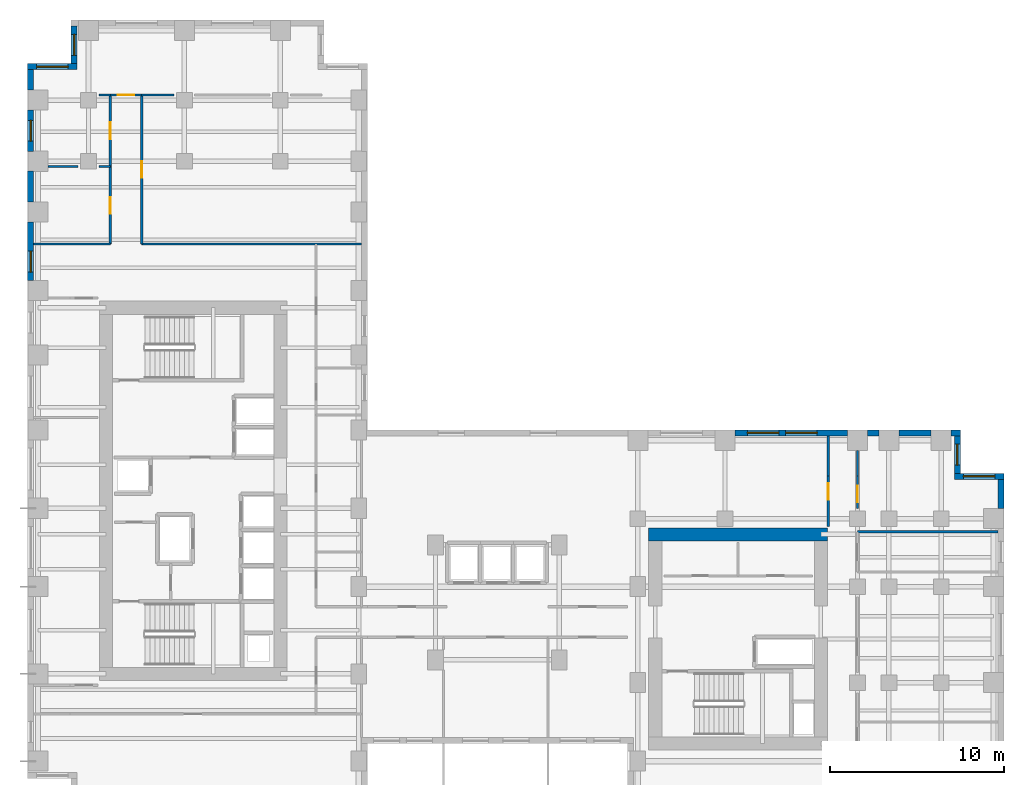
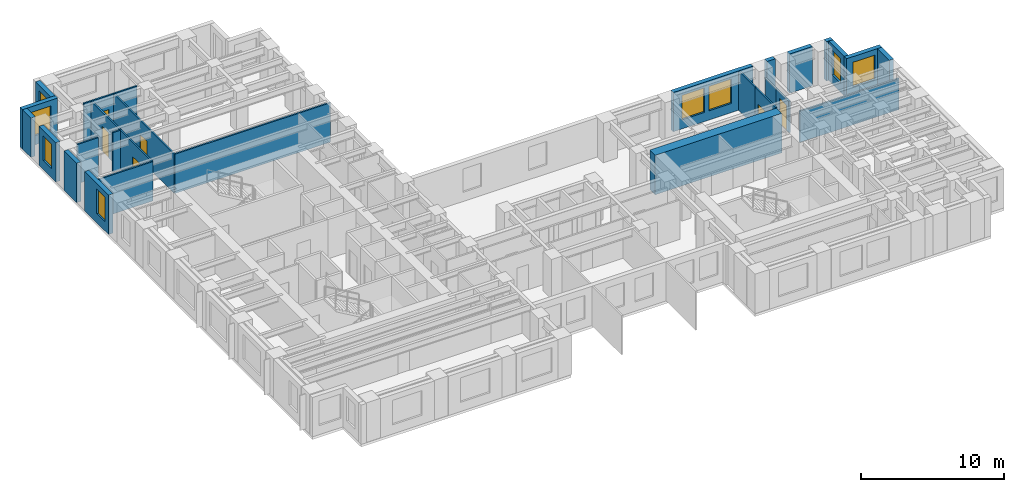
# One storey, part 8 of 11: 29 walls, 8 windows, 6 doors, 14 openings.
"""IFC4 building model written with IfcOpenShell, lengths in metres."""

from ifc_helpers import new_model, si_unit, direction, frame, frame_2d, origin, place, context, subcontext, project, spatial, rectangle, extrude, source, transform, mapped, material, layer, layer_set, type_object, element, fill, save


model = new_model("IFC4")

# Units and contexts
model_context = context("Model", 3, precision=1e-05, world=origin(), true_north=direction((0.0, 1.0)))
body_context = subcontext(model_context, "Body", "Model", "MODEL_VIEW")
ifc_project = project(units=[si_unit("LENGTHUNIT", "METRE"), si_unit("AREAUNIT", "SQUARE_METRE"), si_unit("VOLUMEUNIT", "CUBIC_METRE"), si_unit("PLANEANGLEUNIT", "RADIAN"), si_unit("MASSUNIT", "GRAM", prefix="KILO")], contexts=[model_context])

# Site, building, storey
site_placement = place(None, origin())
site = spatial("IfcSite", under=ifc_project, at=site_placement, CompositionType="ELEMENT")
building_placement = place(site_placement, origin())
building = spatial("IfcBuilding", under=site, at=building_placement, Name="Kharzan Plaza Tower", CompositionType="ELEMENT")
storey_placement = place(building_placement, frame((0.0, 0.0, 84.60009765625)))
storey = spatial("IfcBuildingStorey", under=building, at=storey_placement, Name="L22", CompositionType="ELEMENT", Elevation=84.60009765625)

# Wall, opening, window
ifc_material_1 = material(Name="Concrete C40/50", Category="concrete")
ifc_layer_1 = layer(ifc_material_1, 0.35009765625)
ifc_layer_set_1 = layer_set([ifc_layer_1], Name="Concrete C40/50")
wall_type_1 = type_object("IfcWallType", Name="WL-EXT-MAS-Z2", PredefinedType="SOLIDWALL", material=ifc_layer_set_1)
wall_1_placement = place(storey_placement, frame((2.675048828125, 45.652099609375, 0.0), z_axis=(0.0, 0.0, 1.0), x_axis=(0.0, -1.0, 0.0)))
wall_1 = element("IfcWall", 1, at=wall_1_placement, inside=storey, type_object=wall_type_1, Name="L22 Masonry-Frame Exterior Wall 07", PredefinedType="SOLIDWALL", context=body_context, shape_type="SweptSolid", body=[
    extrude(rectangle(XDim=2.154052734375, YDim=0.35009765625, at=frame_2d((1.0771484375, 0.0))), origin(), (0.0, 0.0, 1.0), 3.364990234375),
])
opening_1_placement = place(wall_1_placement, frame((0.47705078125, 0.0, 0.780029296875)))
opening_1 = element("IfcOpeningElement", 2, at=opening_1_placement, cuts=wall_1, Name="Opening W3", PredefinedType="OPENING", context=body_context, shape_type="SweptSolid", body=[
    extrude(rectangle(XDim=1.199951171875, YDim=2.10009765625, at=frame_2d((0.60009765625, 1.050048828125))), frame((0.0, 0.18505859375, 0.0), z_axis=(0.0, -1.0, 0.0), x_axis=(1.0, 0.0, 0.0)), (0.0, 0.0, 1.0), 0.3701171875),
])
ifc_material_2 = material(Name="Low-E Double Glazing", Category="glass")
window_type_1 = type_object("IfcWindowType", Name="WN-REC-1200x2100", PartitioningType="SINGLE_PANEL", PredefinedType="WINDOW", material=ifc_material_2)
shared_shape_1 = source(origin(), body_context, "Body", "SweptSolid", [
    extrude(rectangle(XDim=1.199951171875, YDim=2.10009765625, at=frame_2d((0.60009765625, 1.050048828125))), frame((0.0, 0.030029296875, 0.0), z_axis=(0.0, -1.0, 0.0), x_axis=(1.0, 0.0, 0.0)), (0.0, 0.0, 1.0), 0.06005859375),
])
window_1_placement = place(opening_1_placement, origin())
window_1 = element("IfcWindow", 3, at=window_1_placement, inside=storey, type_object=window_type_1, Name="L22 Recessed Solar-Control Window 07-1", OverallHeight=2.10009765625, OverallWidth=1.199951171875, PartitioningType="SINGLE_PANEL", PredefinedType="WINDOW", context=body_context, shape_type="MappedRepresentation", body=[
    mapped(shared_shape_1, transform((0.0, 0.0, 0.0), x_axis=(1.0, 0.0, 0.0), y_axis=(0.0, 1.0, 0.0), z_axis=(0.0, 0.0, 1.0))),
])
fill(opening_1, window_1)

wall_2_placement = place(storey_placement, frame((2.85009765625, 43.324951171875, 0.0), z_axis=(0.0, 0.0, 1.0), x_axis=(-1.0, 0.0, 0.0)))
wall_2 = element("IfcWall", 4, at=wall_2_placement, inside=storey, type_object=wall_type_1, Name="L22 Masonry-Frame Exterior Wall 08", PredefinedType="SOLIDWALL", context=body_context, shape_type="SweptSolid", body=[
    extrude(rectangle(XDim=2.85009765625, YDim=0.35009765625, at=frame_2d((1.425048828125, 0.0))), origin(), (0.0, 0.0, 1.0), 3.364990234375),
])
opening_2_placement = place(wall_2_placement, frame((0.52490234375, 0.0, 0.780029296875)))
opening_2 = element("IfcOpeningElement", 5, at=opening_2_placement, cuts=wall_2, Name="Opening W1", PredefinedType="OPENING", context=body_context, shape_type="SweptSolid", body=[
    extrude(rectangle(XDim=1.800048828125, YDim=2.10009765625, at=frame_2d((0.89990234375, 1.050048828125))), frame((0.0, 0.18505859375, 0.0), z_axis=(0.0, -1.0, 0.0), x_axis=(1.0, 0.0, 0.0)), (0.0, 0.0, 1.0), 0.3701171875),
])
window_type_2 = type_object("IfcWindowType", Name="WN-REC-1800x2100", PartitioningType="SINGLE_PANEL", PredefinedType="WINDOW", material=ifc_material_2)
shared_shape_2 = source(origin(), body_context, "Body", "SweptSolid", [
    extrude(rectangle(XDim=1.800048828125, YDim=2.10009765625, at=frame_2d((0.89990234375, 1.050048828125))), frame((0.0, 0.030029296875, 0.0), z_axis=(0.0, -1.0, 0.0), x_axis=(1.0, 0.0, 0.0)), (0.0, 0.0, 1.0), 0.06005859375),
])
window_2_placement = place(opening_2_placement, origin())
window_2 = element("IfcWindow", 6, at=window_2_placement, inside=storey, type_object=window_type_2, Name="L22 Recessed Solar-Control Window 08-1", OverallHeight=2.10009765625, OverallWidth=1.800048828125, PartitioningType="SINGLE_PANEL", PredefinedType="WINDOW", context=body_context, shape_type="MappedRepresentation", body=[
    mapped(shared_shape_2, transform((0.0, 0.0, 0.0), x_axis=(1.0, 0.0, 0.0), y_axis=(0.0, 1.0, 0.0), z_axis=(0.0, 0.0, 1.0))),
])
fill(opening_2, window_2)

wall_3_placement = place(storey_placement, frame((0.175048828125, 40.826904296875, 0.0), z_axis=(0.0, 0.0, 1.0), x_axis=(0.0, -1.0, 0.0)))
wall_3 = element("IfcWall", 7, at=wall_3_placement, inside=storey, type_object=wall_type_1, Name="L22 Masonry-Frame Exterior Wall 10", PredefinedType="SOLIDWALL", context=body_context, shape_type="SweptSolid", body=[
    extrude(rectangle(XDim=2.35400390625, YDim=0.35009765625, at=frame_2d((1.177001953125, 0.0))), origin(), (0.0, 0.0, 1.0), 3.364990234375),
])
opening_3_placement = place(wall_3_placement, frame((0.576904296875, 0.0, 0.780029296875)))
opening_3 = element("IfcOpeningElement", 8, at=opening_3_placement, cuts=wall_3, Name="Opening W3", PredefinedType="OPENING", context=body_context, shape_type="SweptSolid", body=[
    extrude(rectangle(XDim=1.199951171875, YDim=2.10009765625, at=frame_2d((0.60009765625, 1.050048828125))), frame((0.0, 0.18505859375, 0.0), z_axis=(0.0, -1.0, 0.0), x_axis=(1.0, 0.0, 0.0)), (0.0, 0.0, 1.0), 0.3701171875),
])
window_3_placement = place(opening_3_placement, origin())
window_3 = element("IfcWindow", 9, at=window_3_placement, inside=storey, type_object=window_type_1, Name="L22 Recessed Solar-Control Window 10-1", OverallHeight=2.10009765625, OverallWidth=1.199951171875, PartitioningType="SINGLE_PANEL", PredefinedType="WINDOW", context=body_context, shape_type="MappedRepresentation", body=[
    mapped(shared_shape_1, transform((0.0, 0.0, 0.0), x_axis=(1.0, 0.0, 0.0), y_axis=(0.0, 1.0, 0.0), z_axis=(0.0, 0.0, 1.0))),
])
fill(opening_3, window_3)

wall_4_placement = place(storey_placement, frame((0.175048828125, 34.427001953125, 0.0), z_axis=(0.0, 0.0, 1.0), x_axis=(0.0, -1.0, 0.0)))
wall_4 = element("IfcWall", 10, at=wall_4_placement, inside=storey, type_object=wall_type_1, Name="L22 Masonry-Frame Exterior Wall 12", PredefinedType="SOLIDWALL", context=body_context, shape_type="SweptSolid", body=[
    extrude(rectangle(XDim=3.35400390625, YDim=0.35009765625, at=frame_2d((1.677001953125, 0.0))), origin(), (0.0, 0.0, 1.0), 3.364990234375),
])
opening_4_placement = place(wall_4_placement, frame((1.680419921875, 0.0, 0.780029296875)))
opening_4 = element("IfcOpeningElement", 11, at=opening_4_placement, cuts=wall_4, Name="Opening W3", PredefinedType="OPENING", context=body_context, shape_type="SweptSolid", body=[
    extrude(rectangle(XDim=1.199951171875, YDim=2.10009765625, at=frame_2d((0.60009765625, 1.050048828125))), frame((0.0, 0.18505859375, 0.0), z_axis=(0.0, -1.0, 0.0), x_axis=(1.0, 0.0, 0.0)), (0.0, 0.0, 1.0), 0.3701171875),
])
window_4_placement = place(opening_4_placement, origin())
window_4 = element("IfcWindow", 12, at=window_4_placement, inside=storey, type_object=window_type_1, Name="L22 Recessed Solar-Control Window 12-1", OverallHeight=2.10009765625, OverallWidth=1.199951171875, PartitioningType="SINGLE_PANEL", PredefinedType="WINDOW", context=body_context, shape_type="MappedRepresentation", body=[
    mapped(shared_shape_1, transform((0.0, 0.0, 0.0), x_axis=(1.0, 0.0, 0.0), y_axis=(0.0, 1.0, 0.0), z_axis=(0.0, 0.0, 1.0))),
])
fill(opening_4, window_4)

wall_5_placement = place(storey_placement, frame((56.0, 19.824951171875, 0.0), z_axis=(0.0, 0.0, 1.0), x_axis=(-1.0, 0.0, 0.0)))
wall_5 = element("IfcWall", 13, at=wall_5_placement, inside=storey, type_object=wall_type_1, Name="L22 Masonry-Frame Exterior Wall 41", PredefinedType="SOLIDWALL", context=body_context, shape_type="SweptSolid", body=[
    extrude(rectangle(XDim=2.85009765625, YDim=0.35009765625, at=frame_2d((1.425048828125, 0.0))), origin(), (0.0, 0.0, 1.0), 3.364990234375),
])
opening_5_placement = place(wall_5_placement, frame((0.52490234375, 0.0, 0.780029296875)))
opening_5 = element("IfcOpeningElement", 14, at=opening_5_placement, cuts=wall_5, Name="Opening W1", PredefinedType="OPENING", context=body_context, shape_type="SweptSolid", body=[
    extrude(rectangle(XDim=1.800048828125, YDim=2.10009765625, at=frame_2d((0.89990234375, 1.050048828125))), frame((0.0, 0.18505859375, 0.0), z_axis=(0.0, -1.0, 0.0), x_axis=(1.0, 0.0, 0.0)), (0.0, 0.0, 1.0), 0.3701171875),
])
window_5_placement = place(opening_5_placement, origin())
window_5 = element("IfcWindow", 15, at=window_5_placement, inside=storey, type_object=window_type_2, Name="L22 Recessed Solar-Control Window 41-1", OverallHeight=2.10009765625, OverallWidth=1.800048828125, PartitioningType="SINGLE_PANEL", PredefinedType="WINDOW", context=body_context, shape_type="MappedRepresentation", body=[
    mapped(shared_shape_2, transform((0.0, 0.0, 0.0), x_axis=(1.0, 0.0, 0.0), y_axis=(0.0, 1.0, 0.0), z_axis=(0.0, 0.0, 1.0))),
])
fill(opening_5, window_5)

wall_6_placement = place(storey_placement, frame((53.324951171875, 19.998046875, 0.0), z_axis=(0.0, 0.0, 1.0), x_axis=(0.0, 1.0, 0.0)))
wall_6 = element("IfcWall", 16, at=wall_6_placement, inside=storey, type_object=wall_type_1, Name="L22 Masonry-Frame Exterior Wall 42", PredefinedType="SOLIDWALL", context=body_context, shape_type="SweptSolid", body=[
    extrude(rectangle(XDim=2.154052734375, YDim=0.35009765625, at=frame_2d((1.0771484375, 0.0))), origin(), (0.0, 0.0, 1.0), 3.364990234375),
])
opening_6_placement = place(wall_6_placement, frame((0.47705078125, 0.0, 0.780029296875)))
opening_6 = element("IfcOpeningElement", 17, at=opening_6_placement, cuts=wall_6, Name="Opening W3", PredefinedType="OPENING", context=body_context, shape_type="SweptSolid", body=[
    extrude(rectangle(XDim=1.199951171875, YDim=2.10009765625, at=frame_2d((0.60009765625, 1.050048828125))), frame((0.0, 0.18505859375, 0.0), z_axis=(0.0, -1.0, 0.0), x_axis=(1.0, 0.0, 0.0)), (0.0, 0.0, 1.0), 0.3701171875),
])
window_6_placement = place(opening_6_placement, origin())
window_6 = element("IfcWindow", 18, at=window_6_placement, inside=storey, type_object=window_type_1, Name="L22 Recessed Solar-Control Window 42-1", OverallHeight=2.10009765625, OverallWidth=1.199951171875, PartitioningType="SINGLE_PANEL", PredefinedType="WINDOW", context=body_context, shape_type="MappedRepresentation", body=[
    mapped(shared_shape_1, transform((0.0, 0.0, 0.0), x_axis=(1.0, 0.0, 0.0), y_axis=(0.0, 1.0, 0.0), z_axis=(0.0, 0.0, 1.0))),
])
fill(opening_6, window_6)

# Wall, openings, windows
wall_7_placement = place(storey_placement, frame((47.027099609375, 22.324951171875, 0.0), z_axis=(0.0, 0.0, 1.0), x_axis=(-1.0, 0.0, 0.0)))
wall_7 = element("IfcWall", 19, at=wall_7_placement, inside=storey, type_object=wall_type_1, Name="L22 Masonry-Frame Exterior Wall 46", PredefinedType="SOLIDWALL", context=body_context, shape_type="SweptSolid", body=[
    extrude(rectangle(XDim=6.4541015625, YDim=0.35009765625, at=frame_2d((3.22705078125, 0.0))), origin(), (0.0, 0.0, 1.0), 3.364990234375),
])
opening_7_placement = place(wall_7_placement, frame((1.749267578125, 0.0, 0.780029296875)))
opening_7 = element("IfcOpeningElement", 20, at=opening_7_placement, cuts=wall_7, Name="Opening W1", PredefinedType="OPENING", context=body_context, shape_type="SweptSolid", body=[
    extrude(rectangle(XDim=1.800048828125, YDim=2.10009765625, at=frame_2d((0.89990234375, 1.050048828125))), frame((0.0, 0.18505859375, 0.0), z_axis=(0.0, -1.0, 0.0), x_axis=(1.0, 0.0, 0.0)), (0.0, 0.0, 1.0), 0.3701171875),
])
opening_8_placement = place(wall_7_placement, frame((3.941650390625, 0.0, 0.780029296875)))
opening_8 = element("IfcOpeningElement", 21, at=opening_8_placement, cuts=wall_7, Name="Opening W1", PredefinedType="OPENING", context=body_context, shape_type="SweptSolid", body=[
    extrude(rectangle(XDim=1.800048828125, YDim=2.10009765625, at=frame_2d((0.89990234375, 1.050048828125))), frame((0.0, 0.18505859375, 0.0), z_axis=(0.0, -1.0, 0.0), x_axis=(1.0, 0.0, 0.0)), (0.0, 0.0, 1.0), 0.3701171875),
])
window_7_placement = place(opening_7_placement, origin())
window_7 = element("IfcWindow", 22, at=window_7_placement, inside=storey, type_object=window_type_2, Name="L22 Recessed Solar-Control Window 46-1", OverallHeight=2.10009765625, OverallWidth=1.800048828125, PartitioningType="SINGLE_PANEL", PredefinedType="WINDOW", context=body_context, shape_type="MappedRepresentation", body=[
    mapped(shared_shape_2, transform((0.0, 0.0, 0.0), x_axis=(1.0, 0.0, 0.0), y_axis=(0.0, 1.0, 0.0), z_axis=(0.0, 0.0, 1.0))),
])
fill(opening_7, window_7)
window_8_placement = place(opening_8_placement, origin())
window_8 = element("IfcWindow", 23, at=window_8_placement, inside=storey, type_object=window_type_2, Name="L22 Recessed Solar-Control Window 46-2", OverallHeight=2.10009765625, OverallWidth=1.800048828125, PartitioningType="SINGLE_PANEL", PredefinedType="WINDOW", context=body_context, shape_type="MappedRepresentation", body=[
    mapped(shared_shape_2, transform((0.0, 0.0, 0.0), x_axis=(1.0, 0.0, 0.0), y_axis=(0.0, 1.0, 0.0), z_axis=(0.0, 0.0, 1.0))),
])
fill(opening_8, window_8)

# Wall, opening, door
ifc_material_3 = material(Name="Fire-Rated Gypsum Board Partition", Category="gypsum")
ifc_layer_2 = layer(ifc_material_3, 0.125)
ifc_layer_set_2 = layer_set([ifc_layer_2], Name="Fire-Rated Gypsum Board Partition")
wall_type_2 = type_object("IfcWallType", Name="WL-INT-PART-125", PredefinedType="PARTITIONING", material=ifc_layer_set_2)
wall_8_placement = place(storey_placement, frame((47.60009765625, 17.989990234375, 0.0), z_axis=(0.0, 0.0, 1.0), x_axis=(0.0, 1.0, 0.0)))
wall_8 = element("IfcWall", 24, at=wall_8_placement, inside=storey, type_object=wall_type_2, Name="L22 Interior Partition SH-B3W2", PredefinedType="PARTITIONING", context=body_context, shape_type="SweptSolid", body=[
    extrude(rectangle(XDim=1.860107421875, YDim=0.125, at=frame_2d((0.93017578125, 0.0))), origin(), (0.0, 0.0, 1.0), 2.677001953125),
])
opening_9_placement = place(wall_8_placement, frame((0.36328125, 0.0, 0.0)))
opening_9 = element("IfcOpeningElement", 25, at=opening_9_placement, cuts=wall_8, Name="Opening OD1", PredefinedType="OPENING", context=body_context, shape_type="SweptSolid", body=[
    extrude(rectangle(XDim=0.949951171875, YDim=2.14990234375, at=frame_2d((0.47509765625, 1.074951171875))), frame((0.0, 0.072509765625, 0.0), z_axis=(0.0, -1.0, 0.0), x_axis=(1.0, 0.0, 0.0)), (0.0, 0.0, 1.0), 0.14501953125),
])
ifc_material_4 = material(Name="Acoustic Solid-Core Stained Oak", Category="timber")
door_type = type_object("IfcDoorType", Name="DR-OFF-SINGLE", OperationType="NOTDEFINED", PredefinedType="DOOR", material=ifc_material_4)
shared_shape_3 = source(origin(), body_context, "Body", "SweptSolid", [
    extrude(rectangle(XDim=0.949951171875, YDim=2.14990234375, at=frame_2d((0.47509765625, 1.074951171875))), frame((0.0, 0.02490234375, 0.0), z_axis=(0.0, -1.0, 0.0), x_axis=(1.0, 0.0, 0.0)), (0.0, 0.0, 1.0), 0.050048828125),
])
door_1_placement = place(opening_9_placement, origin())
door_1 = element("IfcDoor", 26, at=door_1_placement, inside=storey, type_object=door_type, Name="L22 Wing B Office 3 Door", OperationType="SINGLE_SWING_RIGHT", OverallHeight=2.14990234375, OverallWidth=0.949951171875, PredefinedType="DOOR", context=body_context, shape_type="MappedRepresentation", body=[
    mapped(shared_shape_3, transform((0.0, 0.0, 0.0), x_axis=(1.0, 0.0, 0.0), y_axis=(0.0, 1.0, 0.0), z_axis=(0.0, 0.0, 1.0))),
])
fill(opening_9, door_1)

wall_9_placement = place(storey_placement, frame((45.919921875, 16.949951171875, 0.0), z_axis=(0.0, 0.0, 1.0), x_axis=(0.0, 1.0, 0.0)))
wall_9 = element("IfcWall", 27, at=wall_9_placement, inside=storey, type_object=wall_type_2, Name="L22 Interior Partition SH-RBNE", PredefinedType="PARTITIONING", context=body_context, shape_type="SweptSolid", body=[
    extrude(rectangle(XDim=2.900146484375, YDim=0.125, at=frame_2d((1.4501953125, 0.0))), origin(), (0.0, 0.0, 1.0), 3.364990234375),
])
opening_10_placement = place(wall_9_placement, frame((1.54296875, 0.0, 0.0)))
opening_10 = element("IfcOpeningElement", 28, at=opening_10_placement, cuts=wall_9, Name="Opening OD1", PredefinedType="OPENING", context=body_context, shape_type="SweptSolid", body=[
    extrude(rectangle(XDim=0.949951171875, YDim=2.14990234375, at=frame_2d((0.47509765625, 1.074951171875))), frame((0.0, 0.072509765625, 0.0), z_axis=(0.0, -1.0, 0.0), x_axis=(1.0, 0.0, 0.0)), (0.0, 0.0, 1.0), 0.14501953125),
])
door_2_placement = place(opening_10_placement, origin())
door_2 = element("IfcDoor", 29, at=door_2_placement, inside=storey, type_object=door_type, Name="L22 Wing B North Studio Door", OperationType="SINGLE_SWING_RIGHT", OverallHeight=2.14990234375, OverallWidth=0.949951171875, PredefinedType="DOOR", context=body_context, shape_type="MappedRepresentation", body=[
    mapped(shared_shape_3, transform((0.0, 0.0, 0.0), x_axis=(1.0, 0.0, 0.0), y_axis=(0.0, 1.0, 0.0), z_axis=(0.0, 0.0, 1.0))),
])
fill(opening_10, door_2)

wall_10_placement = place(storey_placement, frame((6.550048828125, 33.14990234375, 0.0), z_axis=(0.0, 0.0, 1.0), x_axis=(0.0, 1.0, 0.0)))
wall_10 = element("IfcWall", 30, at=wall_10_placement, inside=storey, type_object=wall_type_2, Name="L22 Interior Partition SH-SPE-1", PredefinedType="PARTITIONING", context=body_context, shape_type="SweptSolid", body=[
    extrude(rectangle(XDim=8.550048828125, YDim=0.125, at=frame_2d((4.27490234375, 0.0))), origin(), (0.0, 0.0, 1.0), 3.364990234375),
])
opening_11_placement = place(wall_10_placement, frame((3.800048828125, 0.0, 0.0)))
opening_11 = element("IfcOpeningElement", 31, at=opening_11_placement, cuts=wall_10, Name="Opening OD1", PredefinedType="OPENING", context=body_context, shape_type="SweptSolid", body=[
    extrude(rectangle(XDim=0.949951171875, YDim=2.14990234375, at=frame_2d((0.47509765625, 1.074951171875))), frame((0.0, 0.072509765625, 0.0), z_axis=(0.0, -1.0, 0.0), x_axis=(1.0, 0.0, 0.0)), (0.0, 0.0, 1.0), 0.14501953125),
])
door_3_placement = place(opening_11_placement, origin())
door_3 = element("IfcDoor", 32, at=door_3_placement, inside=storey, type_object=door_type, Name="L22 Cartography Drafting Studio Door", OperationType="SINGLE_SWING_LEFT", OverallHeight=2.14990234375, OverallWidth=0.949951171875, PredefinedType="DOOR", context=body_context, shape_type="MappedRepresentation", body=[
    mapped(shared_shape_3, transform((0.0, 0.0, 0.0), x_axis=(1.0, 0.0, 0.0), y_axis=(0.0, 1.0, 0.0), z_axis=(0.0, 0.0, 1.0))),
])
fill(opening_11, door_3)

wall_11_placement = place(storey_placement, frame((4.75, 41.699951171875, 0.0), z_axis=(0.0, 0.0, 1.0), x_axis=(1.0, 0.0, 0.0)))
wall_11 = element("IfcWall", 33, at=wall_11_placement, inside=storey, type_object=wall_type_2, Name="L22 Interior Partition SH-SPHD", PredefinedType="PARTITIONING", context=body_context, shape_type="SweptSolid", body=[
    extrude(rectangle(XDim=1.800048828125, YDim=0.125, at=frame_2d((0.89990234375, 0.0))), origin(), (0.0, 0.0, 1.0), 3.364990234375),
])
opening_12_placement = place(wall_11_placement, frame((0.425048828125, 0.0, 0.0)))
opening_12 = element("IfcOpeningElement", 34, at=opening_12_placement, cuts=wall_11, Name="Opening OD1", PredefinedType="OPENING", context=body_context, shape_type="SweptSolid", body=[
    extrude(rectangle(XDim=0.949951171875, YDim=2.14990234375, at=frame_2d((0.47509765625, 1.074951171875))), frame((0.0, 0.072509765625, 0.0), z_axis=(0.0, -1.0, 0.0), x_axis=(1.0, 0.0, 0.0)), (0.0, 0.0, 1.0), 0.14501953125),
])
door_4_placement = place(opening_12_placement, origin())
door_4 = element("IfcDoor", 35, at=door_4_placement, inside=storey, type_object=door_type, Name="L22 North Boardroom Door", OperationType="SINGLE_SWING_RIGHT", OverallHeight=2.14990234375, OverallWidth=0.949951171875, PredefinedType="DOOR", context=body_context, shape_type="MappedRepresentation", body=[
    mapped(shared_shape_3, transform((0.0, 0.0, 0.0), x_axis=(1.0, 0.0, 0.0), y_axis=(0.0, 1.0, 0.0), z_axis=(0.0, 0.0, 1.0))),
])
fill(opening_12, door_4)

wall_12_placement = place(storey_placement, frame((4.75, 33.14990234375, 0.0), z_axis=(0.0, 0.0, 1.0), x_axis=(0.0, 1.0, 0.0)))
wall_12 = element("IfcWall", 36, at=wall_12_placement, inside=storey, type_object=wall_type_2, Name="L22 Interior Partition SH-SPW-1", PredefinedType="PARTITIONING", context=body_context, shape_type="SweptSolid", body=[
    extrude(rectangle(XDim=4.446044921875, YDim=0.125, at=frame_2d((2.22314453125, 0.0))), origin(), (0.0, 0.0, 1.0), 3.364990234375),
])
opening_13_placement = place(wall_12_placement, frame((1.748046875, 0.0, 0.0)))
opening_13 = element("IfcOpeningElement", 37, at=opening_13_placement, cuts=wall_12, Name="Opening OD1", PredefinedType="OPENING", context=body_context, shape_type="SweptSolid", body=[
    extrude(rectangle(XDim=0.949951171875, YDim=2.14990234375, at=frame_2d((0.47509765625, 1.074951171875))), frame((0.0, 0.072509765625, 0.0), z_axis=(0.0, -1.0, 0.0), x_axis=(1.0, 0.0, 0.0)), (0.0, 0.0, 1.0), 0.14501953125),
])
door_5_placement = place(opening_13_placement, origin())
door_5 = element("IfcDoor", 38, at=door_5_placement, inside=storey, type_object=door_type, Name="L22 Architectural Design Studio Door", OperationType="SINGLE_SWING_LEFT", OverallHeight=2.14990234375, OverallWidth=0.949951171875, PredefinedType="DOOR", context=body_context, shape_type="MappedRepresentation", body=[
    mapped(shared_shape_3, transform((0.0, 0.0, 0.0), x_axis=(1.0, 0.0, 0.0), y_axis=(0.0, 1.0, 0.0), z_axis=(0.0, 0.0, 1.0))),
])
fill(opening_13, door_5)

wall_13_placement = place(storey_placement, frame((4.75, 37.595947265625, 0.0), z_axis=(0.0, 0.0, 1.0), x_axis=(0.0, 1.0, 0.0)))
wall_13 = element("IfcWall", 39, at=wall_13_placement, inside=storey, type_object=wall_type_2, Name="L22 Interior Partition SH-SPW-2", PredefinedType="PARTITIONING", context=body_context, shape_type="SweptSolid", body=[
    extrude(rectangle(XDim=4.10400390625, YDim=0.125, at=frame_2d((2.052001953125, 0.0))), origin(), (0.0, 0.0, 1.0), 3.364990234375),
])
opening_14_placement = place(wall_13_placement, frame((1.576904296875, 0.0, 0.0)))
opening_14 = element("IfcOpeningElement", 40, at=opening_14_placement, cuts=wall_13, Name="Opening OD1", PredefinedType="OPENING", context=body_context, shape_type="SweptSolid", body=[
    extrude(rectangle(XDim=0.949951171875, YDim=2.14990234375, at=frame_2d((0.47509765625, 1.074951171875))), frame((0.0, 0.072509765625, 0.0), z_axis=(0.0, -1.0, 0.0), x_axis=(1.0, 0.0, 0.0)), (0.0, 0.0, 1.0), 0.14501953125),
])
door_6_placement = place(opening_14_placement, origin())
door_6 = element("IfcDoor", 41, at=door_6_placement, inside=storey, type_object=door_type, Name="L22 Architectural Design Studio Door", OperationType="SINGLE_SWING_RIGHT", OverallHeight=2.14990234375, OverallWidth=0.949951171875, PredefinedType="DOOR", context=body_context, shape_type="MappedRepresentation", body=[
    mapped(shared_shape_3, transform((0.0, 0.0, 0.0), x_axis=(1.0, 0.0, 0.0), y_axis=(0.0, 1.0, 0.0), z_axis=(0.0, 0.0, 1.0))),
])
fill(opening_14, door_6)

# Walls
shared_shape_4 = source(origin(), body_context, "Body", "SweptSolid", [
    extrude(rectangle(XDim=2.2978515625, YDim=0.125, at=frame_2d((1.14892578125, 0.0))), origin(), (0.0, 0.0, 1.0), 3.364990234375),
])
wall_14_placement = place(storey_placement, frame((45.919921875, 19.85009765625, 0.0), z_axis=(0.0, 0.0, 1.0), x_axis=(0.0, 1.0, 0.0)))
element("IfcWall", 42, at=wall_14_placement, inside=storey, type_object=wall_type_2, Name="L22 Interior Partition SH-RBNE0", PredefinedType="PARTITIONING", context=body_context, shape_type="MappedRepresentation", body=[
    mapped(shared_shape_4, transform((0.0, 0.0, 0.0), x_axis=(1.0, 0.0, 0.0), y_axis=(0.0, 1.0, 0.0), z_axis=(0.0, 0.0, 1.0))),
])
shared_shape_5 = source(origin(), body_context, "Body", "SweptSolid", [
    extrude(rectangle(XDim=1.17919921875, YDim=0.35009765625, at=frame_2d((0.589599609375, 0.0))), origin(), (0.0, 0.0, 1.0), 3.364990234375),
])
wall_15_placement = place(storey_placement, frame((0.175048828125, 43.152099609375, 0.0), z_axis=(0.0, 0.0, 1.0), x_axis=(0.0, -1.0, 0.0)))
element("IfcWall", 43, at=wall_15_placement, inside=storey, type_object=wall_type_1, Name="L22 Masonry-Frame Exterior Wall 09", PredefinedType="SOLIDWALL", context=body_context, shape_type="MappedRepresentation", body=[
    mapped(shared_shape_5, transform((0.0, 0.0, 0.0), x_axis=(1.0, 0.0, 0.0), y_axis=(0.0, 1.0, 0.0), z_axis=(0.0, 0.0, 1.0))),
])
shared_shape_6 = source(origin(), body_context, "Body", "SweptSolid", [
    extrude(rectangle(XDim=1.75390625, YDim=0.35009765625, at=frame_2d((0.876953125, 0.0))), origin(), (0.0, 0.0, 1.0), 3.364990234375),
])
wall_16_placement = place(storey_placement, frame((0.175048828125, 37.326904296875, 0.0), z_axis=(0.0, 0.0, 1.0), x_axis=(0.0, -1.0, 0.0)))
element("IfcWall", 44, at=wall_16_placement, inside=storey, type_object=wall_type_1, Name="L22 Masonry-Frame Exterior Wall 11", PredefinedType="SOLIDWALL", context=body_context, shape_type="MappedRepresentation", body=[
    mapped(shared_shape_6, transform((0.0, 0.0, 0.0), x_axis=(1.0, 0.0, 0.0), y_axis=(0.0, 1.0, 0.0), z_axis=(0.0, 0.0, 1.0))),
])
shared_shape_7 = source(origin(), body_context, "Body", "SweptSolid", [
    extrude(rectangle(XDim=0.65380859375, YDim=0.35009765625, at=frame_2d((0.326904296875, 0.0))), origin(), (0.0, 0.0, 1.0), 3.364990234375),
])
wall_17_placement = place(storey_placement, frame((48.826904296875, 22.324951171875, 0.0), z_axis=(0.0, 0.0, 1.0), x_axis=(-1.0, 0.0, 0.0)))
element("IfcWall", 45, at=wall_17_placement, inside=storey, type_object=wall_type_1, Name="L22 Masonry-Frame Exterior Wall 45", PredefinedType="SOLIDWALL", context=body_context, shape_type="MappedRepresentation", body=[
    mapped(shared_shape_7, transform((0.0, 0.0, 0.0), x_axis=(1.0, 0.0, 0.0), y_axis=(0.0, 1.0, 0.0), z_axis=(0.0, 0.0, 1.0))),
])
shared_shape_8 = source(origin(), body_context, "Body", "SweptSolid", [
    extrude(rectangle(XDim=1.85400390625, YDim=0.35009765625, at=frame_2d((0.927001953125, 0.0))), origin(), (0.0, 0.0, 1.0), 3.364990234375),
])
wall_18_placement = place(storey_placement, frame((51.826904296875, 22.324951171875, 0.0), z_axis=(0.0, 0.0, 1.0), x_axis=(-1.0, 0.0, 0.0)))
element("IfcWall", 46, at=wall_18_placement, inside=storey, type_object=wall_type_1, Name="L22 Masonry-Frame Exterior Wall 44", PredefinedType="SOLIDWALL", context=body_context, shape_type="MappedRepresentation", body=[
    mapped(shared_shape_8, transform((0.0, 0.0, 0.0), x_axis=(1.0, 0.0, 0.0), y_axis=(0.0, 1.0, 0.0), z_axis=(0.0, 0.0, 1.0))),
])
shared_shape_9 = source(origin(), body_context, "Body", "SweptSolid", [
    extrude(rectangle(XDim=0.527099609375, YDim=0.35009765625, at=frame_2d((0.263671875, 0.0))), origin(), (0.0, 0.0, 1.0), 3.364990234375),
])
wall_19_placement = place(storey_placement, frame((53.5, 22.324951171875, 0.0), z_axis=(0.0, 0.0, 1.0), x_axis=(-1.0, 0.0, 0.0)))
element("IfcWall", 47, at=wall_19_placement, inside=storey, type_object=wall_type_1, Name="L22 Masonry-Frame Exterior Wall 43", PredefinedType="SOLIDWALL", context=body_context, shape_type="MappedRepresentation", body=[
    mapped(shared_shape_9, transform((0.0, 0.0, 0.0), x_axis=(1.0, 0.0, 0.0), y_axis=(0.0, 1.0, 0.0), z_axis=(0.0, 0.0, 1.0))),
])
shared_shape_10 = source(origin(), body_context, "Body", "SweptSolid", [
    extrude(rectangle(XDim=1.67919921875, YDim=0.35009765625, at=frame_2d((0.839599609375, 0.0))), origin(), (0.0, 0.0, 1.0), 3.364990234375),
])
wall_20_placement = place(storey_placement, frame((55.824951171875, 17.972900390625, 0.0), z_axis=(0.0, 0.0, 1.0), x_axis=(0.0, 1.0, 0.0)))
element("IfcWall", 48, at=wall_20_placement, inside=storey, type_object=wall_type_1, Name="L22 Masonry-Frame Exterior Wall 40", PredefinedType="SOLIDWALL", context=body_context, shape_type="MappedRepresentation", body=[
    mapped(shared_shape_10, transform((0.0, 0.0, 0.0), x_axis=(1.0, 0.0, 0.0), y_axis=(0.0, 1.0, 0.0), z_axis=(0.0, 0.0, 1.0))),
])
ifc_material_5 = material(Name="Concrete C60/75", Category="concrete")
ifc_layer_3 = layer(ifc_material_5, 0.75)
ifc_layer_set_3 = layer_set([ifc_layer_3], Name="Concrete C60/75")
wall_type_3 = type_object("IfcWallType", Name="WL-CORE-750", PredefinedType="SHEAR", material=ifc_layer_set_3)
shared_shape_11 = source(origin(), body_context, "Body", "SweptSolid", [
    extrude(rectangle(XDim=10.25, YDim=0.75, at=frame_2d((5.125, 0.0))), origin(), (0.0, 0.0, 1.0), 3.3798828125),
])
wall_21_placement = place(storey_placement, frame((35.625, 16.5, 0.0), z_axis=(0.0, 0.0, 1.0), x_axis=(1.0, 0.0, 0.0)))
element("IfcWall", 49, at=wall_21_placement, inside=storey, type_object=wall_type_3, Name="L22 CORE-B north RC shear wall", PredefinedType="SHEAR", context=body_context, shape_type="MappedRepresentation", body=[
    mapped(shared_shape_11, transform((0.0, 0.0, 0.0), x_axis=(1.0, 0.0, 0.0), y_axis=(0.0, 1.0, 0.0), z_axis=(0.0, 0.0, 1.0))),
])
shared_shape_12 = source(origin(), body_context, "Body", "SweptSolid", [
    extrude(rectangle(XDim=1.4599609375, YDim=0.125, at=frame_2d((0.72998046875, 0.0))), origin(), (0.0, 0.0, 1.0), 2.677001953125),
])
wall_22_placement = place(storey_placement, frame((47.60009765625, 19.85009765625, 0.0), z_axis=(0.0, 0.0, 1.0), x_axis=(0.0, 1.0, 0.0)))
element("IfcWall", 50, at=wall_22_placement, inside=storey, type_object=wall_type_2, Name="L22 Interior Partition SH-B3W2N", PredefinedType="PARTITIONING", context=body_context, shape_type="MappedRepresentation", body=[
    mapped(shared_shape_12, transform((0.0, 0.0, 0.0), x_axis=(1.0, 0.0, 0.0), y_axis=(0.0, 1.0, 0.0), z_axis=(0.0, 0.0, 1.0))),
])
shared_shape_13 = source(origin(), body_context, "Body", "SweptSolid", [
    extrude(rectangle(XDim=8.0478515625, YDim=0.125, at=frame_2d((4.02392578125, 0.0))), origin(), (0.0, 0.0, 1.0), 2.677001953125),
])
wall_23_placement = place(storey_placement, frame((47.60009765625, 16.64990234375, 0.0), z_axis=(0.0, 0.0, 1.0), x_axis=(1.0, 0.0, 0.0)))
element("IfcWall", 51, at=wall_23_placement, inside=storey, type_object=wall_type_2, Name="L22 Interior Partition SH-B3H-166", PredefinedType="PARTITIONING", context=body_context, shape_type="MappedRepresentation", body=[
    mapped(shared_shape_13, transform((0.0, 0.0, 0.0), x_axis=(1.0, 0.0, 0.0), y_axis=(0.0, 1.0, 0.0), z_axis=(0.0, 0.0, 1.0))),
])
shared_shape_14 = source(origin(), body_context, "Body", "SweptSolid", [
    extrude(rectangle(XDim=12.597900390625, YDim=0.125, at=frame_2d((6.298828125, 0.0))), origin(), (0.0, 0.0, 1.0), 3.364990234375),
])
wall_24_placement = place(storey_placement, frame((6.550048828125, 33.14990234375, 0.0), z_axis=(0.0, 0.0, 1.0), x_axis=(1.0, 0.0, 0.0)))
element("IfcWall", 52, at=wall_24_placement, inside=storey, type_object=wall_type_2, Name="L22 Interior Partition SH-NNE", PredefinedType="PARTITIONING", context=body_context, shape_type="MappedRepresentation", body=[
    mapped(shared_shape_14, transform((0.0, 0.0, 0.0), x_axis=(1.0, 0.0, 0.0), y_axis=(0.0, 1.0, 0.0), z_axis=(0.0, 0.0, 1.0))),
])
shared_shape_15 = source(origin(), body_context, "Body", "SweptSolid", [
    extrude(rectangle(XDim=4.39794921875, YDim=0.125, at=frame_2d((2.198974609375, 0.0))), origin(), (0.0, 0.0, 1.0), 3.364990234375),
])
wall_25_placement = place(storey_placement, frame((0.35205078125, 33.14990234375, 0.0), z_axis=(0.0, 0.0, 1.0), x_axis=(1.0, 0.0, 0.0)))
element("IfcWall", 53, at=wall_25_placement, inside=storey, type_object=wall_type_2, Name="L22 Interior Partition SH-NNW", PredefinedType="PARTITIONING", context=body_context, shape_type="MappedRepresentation", body=[
    mapped(shared_shape_15, transform((0.0, 0.0, 0.0), x_axis=(1.0, 0.0, 0.0), y_axis=(0.0, 1.0, 0.0), z_axis=(0.0, 0.0, 1.0))),
])
shared_shape_16 = source(origin(), body_context, "Body", "SweptSolid", [
    extrude(rectangle(XDim=1.719970703125, YDim=0.125, at=frame_2d((0.85986328125, 0.0))), origin(), (0.0, 0.0, 1.0), 3.364990234375),
])
wall_26_placement = place(storey_placement, frame((1.18994140625, 37.595947265625, 0.0), z_axis=(0.0, 0.0, 1.0), x_axis=(1.0, 0.0, 0.0)))
element("IfcWall", 54, at=wall_26_placement, inside=storey, type_object=wall_type_2, Name="L22 Interior Partition SH-NWH-1-S1", PredefinedType="PARTITIONING", context=body_context, shape_type="MappedRepresentation", body=[
    mapped(shared_shape_16, transform((0.0, 0.0, 0.0), x_axis=(1.0, 0.0, 0.0), y_axis=(0.0, 1.0, 0.0), z_axis=(0.0, 0.0, 1.0))),
])
shared_shape_17 = source(origin(), body_context, "Body", "SweptSolid", [
    extrude(rectangle(XDim=0.659912109375, YDim=0.125, at=frame_2d((0.330078125, 0.0))), origin(), (0.0, 0.0, 1.0), 3.364990234375),
])
for number, where, z_axis, x_axis, name in (
    (55, (4.090087890625, 37.595947265625, 0.0), (0.0, 0.0, 1.0), (1.0, 0.0, 0.0), "L22 Interior Partition SH-NWH-1-S2"),
    (56, (4.090087890625, 41.699951171875, 0.0), (0.0, 0.0, 1.0), (1.0, 0.0, 0.0), "L22 Interior Partition SH-SPHW"),
):
    element("IfcWall", number, at=place(storey_placement, frame(where, z_axis=z_axis, x_axis=x_axis)), inside=storey, type_object=wall_type_2, Name=name, PredefinedType="PARTITIONING", context=body_context, shape_type="MappedRepresentation", body=[
        mapped(shared_shape_17, transform((0.0, 0.0, 0.0), x_axis=(1.0, 0.0, 0.0), y_axis=(0.0, 1.0, 0.0), z_axis=(0.0, 0.0, 1.0))),
    ])
shared_shape_18 = source(origin(), body_context, "Body", "SweptSolid", [
    extrude(rectangle(XDim=1.85986328125, YDim=0.125, at=frame_2d((0.929931640625, 0.0))), origin(), (0.0, 0.0, 1.0), 3.364990234375),
])
wall_27_placement = place(storey_placement, frame((6.550048828125, 41.699951171875, 0.0), z_axis=(0.0, 0.0, 1.0), x_axis=(1.0, 0.0, 0.0)))
element("IfcWall", 57, at=wall_27_placement, inside=storey, type_object=wall_type_2, Name="L22 Interior Partition SH-SPHE-S1", PredefinedType="PARTITIONING", context=body_context, shape_type="MappedRepresentation", body=[
    mapped(shared_shape_18, transform((0.0, 0.0, 0.0), x_axis=(1.0, 0.0, 0.0), y_axis=(0.0, 1.0, 0.0), z_axis=(0.0, 0.0, 1.0))),
])

save(model, "model.ifc")
